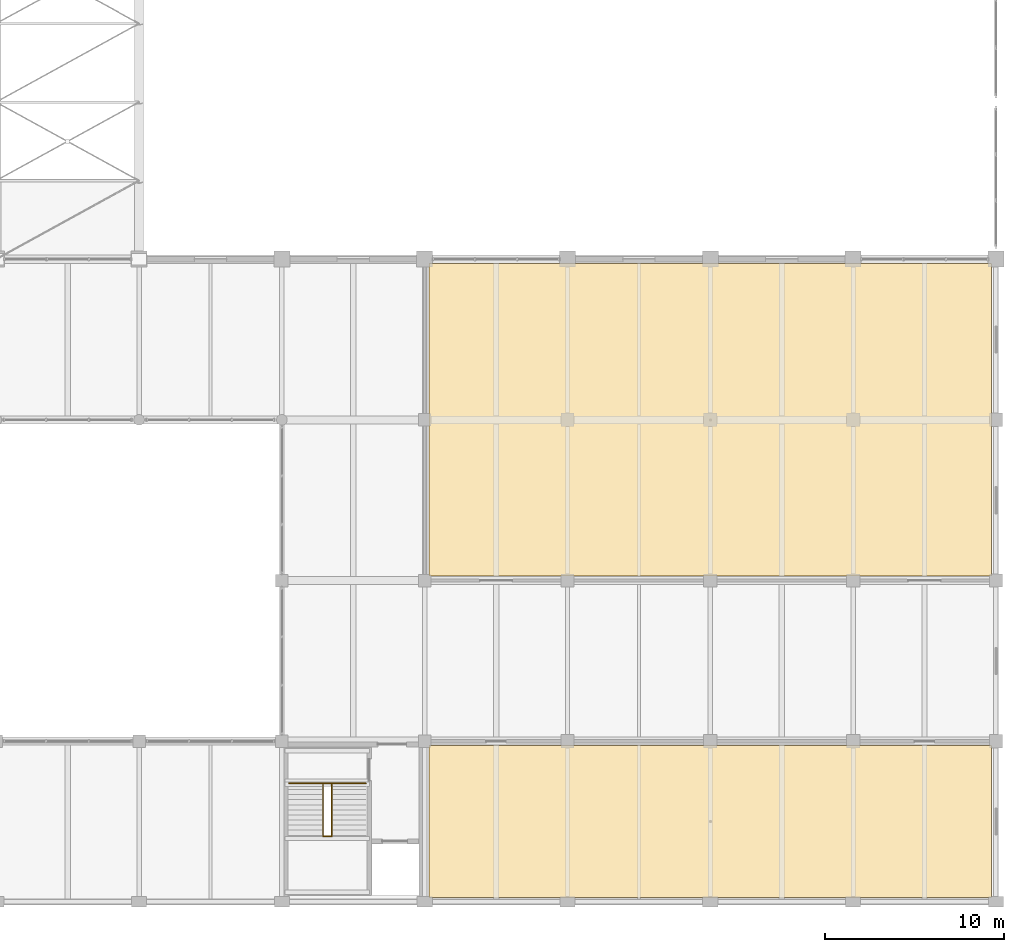
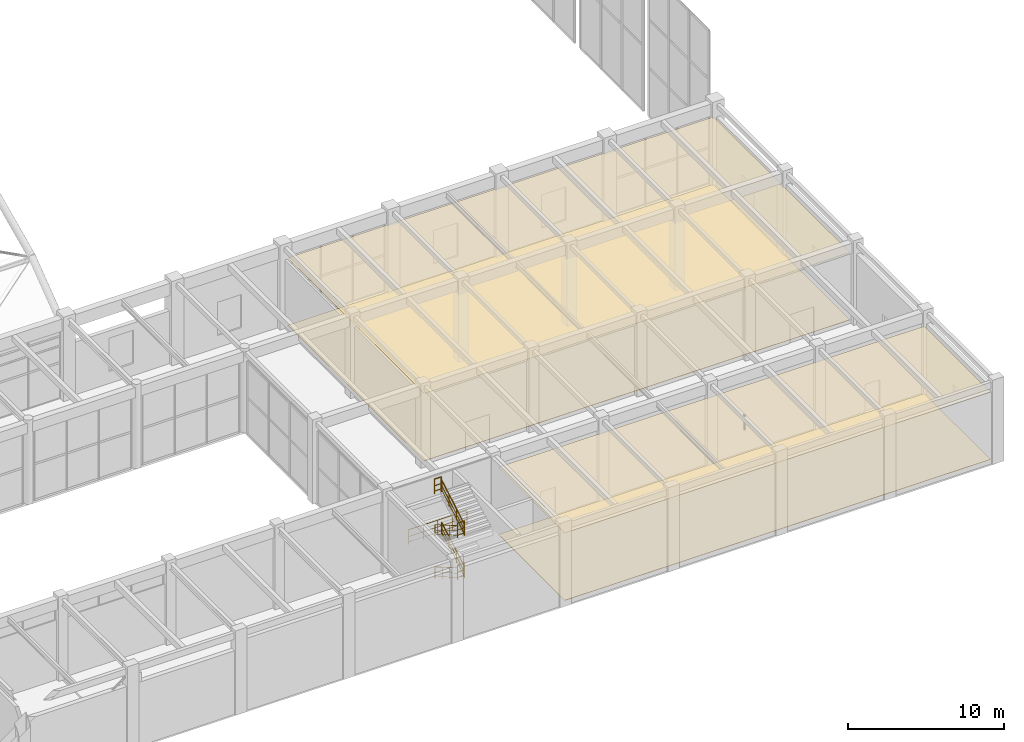
# One storey, part 162 of 163: 8 railings, 4 coverings.
"""IFC4 building model written with IfcOpenShell, lengths in metres."""

from ifc_helpers import new_model, si_unit, direction, frame, origin, origin_2d, place, context, subcontext, project, spatial, polyline, circle, outline, extrude, material, layer, layer_set, type_object, element, save


model = new_model("IFC4")

# Units and contexts
model_context = context("Model", 3, precision=1e-05, world=origin(), true_north=direction((0.0, 1.0)))
body_context = subcontext(model_context, "Body", "Model", "MODEL_VIEW")
ifc_project = project(units=[si_unit("LENGTHUNIT", "METRE"), si_unit("AREAUNIT", "SQUARE_METRE"), si_unit("VOLUMEUNIT", "CUBIC_METRE"), si_unit("PLANEANGLEUNIT", "RADIAN"), si_unit("MASSUNIT", "GRAM", prefix="KILO")], contexts=[model_context])

# Site, building, storey
site_placement = place(None, origin())
site = spatial("IfcSite", under=ifc_project, at=site_placement, CompositionType="ELEMENT")
building_placement = place(site_placement, origin())
building = spatial("IfcBuilding", under=site, at=building_placement, Name="Varnabhumi Central Station", CompositionType="ELEMENT")
storey_placement = place(building_placement, frame((0.0, 0.0, 9.60009765625)))
storey = spatial("IfcBuildingStorey", under=building, at=storey_placement, Name="L02", CompositionType="ELEMENT", Elevation=9.60009765625)

# Coverings
ifc_material_1 = material(Name="Mineral-fibre acoustic tile")
ifc_layer_1 = layer(ifc_material_1, 0.02490234375, Name="Mineral-fibre acoustic tile")
ifc_layer_set_1 = layer_set([ifc_layer_1], Name="Mineral-fibre acoustic tile")
covering_type_1 = type_object("IfcCoveringType", Name="COV-CEIL-ACOUSTIC", PredefinedType="CEILING", material=ifc_layer_set_1)
covering_1_placement = place(storey_placement, frame((0.0, 0.0, 5.27001953125)))
element("IfcCovering", 1, at=covering_1_placement, inside=storey, type_object=covering_type_1, Name="Platform Overlook Refreshment Lounge Acoustic Ceiling", PredefinedType="CEILING", context=body_context, shape_type="SweptSolid", body=[
    extrude(outline(polyline([(152.25, 18.25), (183.75, 18.25), (183.75, 35.75), (152.25, 35.75), (152.25, 18.25)])), origin(), (0.0, 0.0, 1.0), 0.02490234375),
])
covering_2_placement = place(storey_placement, frame((0.0, 0.0, 5.27001953125)))
element("IfcCovering", 2, at=covering_2_placement, inside=storey, type_object=covering_type_1, Name="Concourse Equipment Store Acoustic Ceiling", PredefinedType="CEILING", context=body_context, shape_type="SweptSolid", body=[
    extrude(outline(polyline([(152.25, 0.25), (183.75, 0.25), (183.75, 8.75), (152.25, 8.75), (152.25, 0.25)])), origin(), (0.0, 0.0, 1.0), 0.02490234375),
])
ifc_material_2 = material(Name="Vitrified granite stone flooring", Category="masonry")
ifc_layer_2 = layer(ifc_material_2, 0.030029296875, Name="Vitrified granite stone flooring", Category="masonry")
ifc_layer_set_2 = layer_set([ifc_layer_2], Name="Vitrified granite stone flooring")
covering_type_2 = type_object("IfcCoveringType", Name="COV-FLOR-GRANITE", PredefinedType="FLOORING", material=ifc_layer_set_2)
covering_3_placement = place(storey_placement, origin())
element("IfcCovering", 3, at=covering_3_placement, inside=storey, type_object=covering_type_2, Name="Platform Overlook Refreshment Lounge Granite Flooring", PredefinedType="FLOORING", context=body_context, shape_type="SweptSolid", body=[
    extrude(outline(polyline([(152.25, 18.25), (183.75, 18.25), (183.75, 35.75), (152.25, 35.75), (152.25, 18.25)])), origin(), (0.0, 0.0, 1.0), 0.02978515625),
])
covering_4_placement = place(storey_placement, origin())
element("IfcCovering", 4, at=covering_4_placement, inside=storey, type_object=covering_type_2, Name="Concourse Equipment Store Granite Flooring", PredefinedType="FLOORING", context=body_context, shape_type="SweptSolid", body=[
    extrude(outline(polyline([(152.25, 0.25), (183.75, 0.25), (183.75, 8.75), (152.25, 8.75), (152.25, 0.25)])), origin(), (0.0, 0.0, 1.0), 0.02978515625),
])

# Railings
ifc_material_3 = material(Name="Stainless steel Grade 316", Category="steel")
railing_type_1 = type_object("IfcRailingType", Name="RAIL-STAIR-GRD-1150", PredefinedType="GUARDRAIL", material=ifc_material_3)
railing_1_placement = place(storey_placement, frame((146.300048828125, 3.669921875, 1.64990234375)))
element("IfcRailing", 5, at=railing_1_placement, inside=storey, type_object=railing_type_1, Name="ST-S3 L02 Landing Guard 1", PredefinedType="GUARDRAIL", context=body_context, shape_type="SweptSolid", body=[
    extrude(circle(Radius=0.02392578125, at=origin_2d()), frame((0.0, 0.0, 1.1259765625), z_axis=(1.0, 0.0, 0.0), x_axis=(0.0, 1.0, 0.0)), (0.0, 0.0, 1.0), 0.5),
    extrude(circle(Radius=0.01416015625, at=origin_2d()), frame((0.0, 0.0, 0.597900390625), z_axis=(1.0, 0.0, 0.0), x_axis=(0.0, 1.0, 0.0)), (0.0, 0.0, 1.0), 0.5),
    extrude(circle(Radius=0.01416015625, at=origin_2d()), frame((0.0, 0.0, 0.18408203125), z_axis=(1.0, 0.0, 0.0), x_axis=(0.0, 1.0, 0.0)), (0.0, 0.0, 1.0), 0.5),
    extrude(circle(Radius=0.02099609375, at=origin_2d()), origin(), (0.0, 0.0, 1.0), 1.101806640625),
    extrude(circle(Radius=0.02099609375, at=origin_2d()), frame((0.5, 0.0, 0.0)), (0.0, 0.0, 1.0), 1.101806640625),
])
railing_2_placement = place(storey_placement, frame((144.39990234375, 6.639892578125, 3.2998046875)))
element("IfcRailing", 6, at=railing_2_placement, inside=storey, type_object=railing_type_1, Name="ST-S3 L02 Landing Guard 2", PredefinedType="GUARDRAIL", context=body_context, shape_type="SweptSolid", body=[
    extrude(circle(Radius=0.02392578125, at=origin_2d()), frame((0.0, 0.0, 1.1259765625), z_axis=(1.0, 0.0, 0.0), x_axis=(0.0, 1.0, 0.0)), (0.0, 0.0, 1.0), 4.300048828125),
    extrude(circle(Radius=0.01416015625, at=origin_2d()), frame((0.0, 0.0, 0.597900390625), z_axis=(1.0, 0.0, 0.0), x_axis=(0.0, 1.0, 0.0)), (0.0, 0.0, 1.0), 4.300048828125),
    extrude(circle(Radius=0.01416015625, at=origin_2d()), frame((0.0, 0.0, 0.18408203125), z_axis=(1.0, 0.0, 0.0), x_axis=(0.0, 1.0, 0.0)), (0.0, 0.0, 1.0), 4.300048828125),
    extrude(circle(Radius=0.02099609375, at=origin_2d()), origin(), (0.0, 0.0, 1.0), 1.101806640625),
    extrude(circle(Radius=0.02099609375, at=origin_2d()), frame((1.074951171875, 0.0, 0.0)), (0.0, 0.0, 1.0), 1.101806640625),
    extrude(circle(Radius=0.02099609375, at=origin_2d()), frame((2.14990234375, 0.0, 0.0)), (0.0, 0.0, 1.0), 1.101806640625),
    extrude(circle(Radius=0.02099609375, at=origin_2d()), frame((3.22509765625, 0.0, 0.0)), (0.0, 0.0, 1.0), 1.101806640625),
    extrude(circle(Radius=0.02099609375, at=origin_2d()), frame((4.300048828125, 0.0, 0.0)), (0.0, 0.0, 1.0), 1.101806640625),
])
for number, where, name in (
    (7, (146.300048828125, 3.669921875, 4.949951171875), "ST-S3 L02 Landing Guard 3"),
    (8, (146.300048828125, 6.639892578125, 6.599853515625), "ST-S3 L02 Arrival Slot Guard"),
):
    element("IfcRailing", number, at=place(storey_placement, frame(where)), inside=storey, type_object=railing_type_1, Name=name, PredefinedType="GUARDRAIL", context=body_context, shape_type="SweptSolid", body=[
        extrude(circle(Radius=0.02392578125, at=origin_2d()), frame((0.0, 0.0, 1.1259765625), z_axis=(1.0, 0.0, 0.0), x_axis=(0.0, 1.0, 0.0)), (0.0, 0.0, 1.0), 0.5),
        extrude(circle(Radius=0.01416015625, at=origin_2d()), frame((0.0, 0.0, 0.597900390625), z_axis=(1.0, 0.0, 0.0), x_axis=(0.0, 1.0, 0.0)), (0.0, 0.0, 1.0), 0.5),
        extrude(circle(Radius=0.01416015625, at=origin_2d()), frame((0.0, 0.0, 0.18408203125), z_axis=(1.0, 0.0, 0.0), x_axis=(0.0, 1.0, 0.0)), (0.0, 0.0, 1.0), 0.5),
        extrude(circle(Radius=0.02099609375, at=origin_2d()), origin(), (0.0, 0.0, 1.0), 1.101806640625),
        extrude(circle(Radius=0.02099609375, at=origin_2d()), frame((0.5, 0.0, 0.0)), (0.0, 0.0, 1.0), 1.101806640625),
    ])
railing_type_2 = type_object("IfcRailingType", Name="RAIL-STAIR-HR-920", PredefinedType="HANDRAIL", material=ifc_material_3)
railing_3_placement = place(storey_placement, frame((146.300048828125, 6.580078125, 0.0)))
element("IfcRailing", 9, at=railing_3_placement, inside=storey, type_object=railing_type_2, Name="ST-S3 L02 Handrail 1", PredefinedType="HANDRAIL", context=body_context, shape_type="SweptSolid", body=[
    extrude(circle(Radius=0.02392578125, at=origin_2d()), frame((0.0, 0.0, 0.89599609375), z_axis=(0.0, -0.865446587175, 0.501001202341), x_axis=(1.0, 0.0, 0.0)), (0.0, 0.0, 1.0), 3.293212890625),
    extrude(circle(Radius=0.01416015625, at=origin_2d()), frame((0.0, 0.0, 0.478271484375), z_axis=(0.0, -0.865446587175, 0.501001202341), x_axis=(1.0, 0.0, 0.0)), (0.0, 0.0, 1.0), 3.293212890625),
    extrude(circle(Radius=0.01416015625, at=origin_2d()), frame((0.0, 0.0, 0.147216796875), z_axis=(0.0, -0.865446587175, 0.501001202341), x_axis=(1.0, 0.0, 0.0)), (0.0, 0.0, 1.0), 3.293212890625),
    extrude(circle(Radius=0.02099609375, at=origin_2d()), origin(), (0.0, 0.0, 1.0), 0.871826171875),
    extrude(circle(Radius=0.02099609375, at=origin_2d()), frame((0.0, -0.949951171875, 0.550048828125)), (0.0, 0.0, 1.0), 0.871826171875),
    extrude(circle(Radius=0.02099609375, at=origin_2d()), frame((0.0, -1.900146484375, 1.099853515625)), (0.0, 0.0, 1.0), 0.871826171875),
    extrude(circle(Radius=0.02099609375, at=origin_2d()), frame((0.0, -2.85009765625, 1.64990234375)), (0.0, 0.0, 1.0), 0.871826171875),
])
railing_4_placement = place(storey_placement, frame((146.800048828125, 3.72998046875, 1.64990234375)))
element("IfcRailing", 10, at=railing_4_placement, inside=storey, type_object=railing_type_2, Name="ST-S3 L02 Handrail 2", PredefinedType="HANDRAIL", context=body_context, shape_type="SweptSolid", body=[
    extrude(circle(Radius=0.02392578125, at=origin_2d()), frame((0.0, 0.0, 0.89599609375), z_axis=(0.0, 0.865446587175, 0.501001202341), x_axis=(-1.0, 0.0, 0.0)), (0.0, 0.0, 1.0), 3.293212890625),
    extrude(circle(Radius=0.01416015625, at=origin_2d()), frame((0.0, 0.0, 0.478271484375), z_axis=(0.0, 0.865446587175, 0.501001202341), x_axis=(-1.0, 0.0, 0.0)), (0.0, 0.0, 1.0), 3.293212890625),
    extrude(circle(Radius=0.01416015625, at=origin_2d()), frame((0.0, 0.0, 0.147216796875), z_axis=(0.0, 0.865446587175, 0.501001202341), x_axis=(-1.0, 0.0, 0.0)), (0.0, 0.0, 1.0), 3.293212890625),
    extrude(circle(Radius=0.02099609375, at=origin_2d()), origin(), (0.0, 0.0, 1.0), 0.871826171875),
    extrude(circle(Radius=0.02099609375, at=origin_2d()), frame((0.0, 0.949951171875, 0.550048828125)), (0.0, 0.0, 1.0), 0.871826171875),
    extrude(circle(Radius=0.02099609375, at=origin_2d()), frame((0.0, 1.900146484375, 1.099853515625)), (0.0, 0.0, 1.0), 0.871826171875),
    extrude(circle(Radius=0.02099609375, at=origin_2d()), frame((0.0, 2.85009765625, 1.64990234375)), (0.0, 0.0, 1.0), 0.871826171875),
])
railing_5_placement = place(storey_placement, frame((146.300048828125, 6.580078125, 3.2998046875)))
element("IfcRailing", 11, at=railing_5_placement, inside=storey, type_object=railing_type_2, Name="ST-S3 L02 Handrail 3", PredefinedType="HANDRAIL", context=body_context, shape_type="SweptSolid", body=[
    extrude(circle(Radius=0.02392578125, at=origin_2d()), frame((0.0, 0.0, 0.89599609375), z_axis=(0.0, -0.86541444261, 0.501056725852), x_axis=(1.0, 0.0, 0.0)), (0.0, 0.0, 1.0), 3.293212890625),
    extrude(circle(Radius=0.01416015625, at=origin_2d()), frame((0.0, 0.0, 0.478271484375), z_axis=(0.0, -0.86541444261, 0.501056725852), x_axis=(1.0, 0.0, 0.0)), (0.0, 0.0, 1.0), 3.293212890625),
    extrude(circle(Radius=0.01416015625, at=origin_2d()), frame((0.0, 0.0, 0.147216796875), z_axis=(0.0, -0.86541444261, 0.501056725852), x_axis=(1.0, 0.0, 0.0)), (0.0, 0.0, 1.0), 3.293212890625),
    extrude(circle(Radius=0.02099609375, at=origin_2d()), origin(), (0.0, 0.0, 1.0), 0.871826171875),
    extrude(circle(Radius=0.02099609375, at=origin_2d()), frame((0.0, -0.949951171875, 0.550048828125)), (0.0, 0.0, 1.0), 0.871826171875),
    extrude(circle(Radius=0.02099609375, at=origin_2d()), frame((0.0, -1.900146484375, 1.10009765625)), (0.0, 0.0, 1.0), 0.871826171875),
    extrude(circle(Radius=0.02099609375, at=origin_2d()), frame((0.0, -2.85009765625, 1.650146484375)), (0.0, 0.0, 1.0), 0.871826171875),
])
railing_6_placement = place(storey_placement, frame((146.800048828125, 3.72998046875, 4.949951171875)))
element("IfcRailing", 12, at=railing_6_placement, inside=storey, type_object=railing_type_2, Name="ST-S3 L02 Handrail 4", PredefinedType="HANDRAIL", context=body_context, shape_type="SweptSolid", body=[
    extrude(circle(Radius=0.02392578125, at=origin_2d()), frame((0.0, 0.0, 0.89599609375), z_axis=(0.0, 0.865446587175, 0.501001202341), x_axis=(-1.0, 0.0, 0.0)), (0.0, 0.0, 1.0), 3.293212890625),
    extrude(circle(Radius=0.01416015625, at=origin_2d()), frame((0.0, 0.0, 0.478271484375), z_axis=(0.0, 0.865446587175, 0.501001202341), x_axis=(-1.0, 0.0, 0.0)), (0.0, 0.0, 1.0), 3.293212890625),
    extrude(circle(Radius=0.01416015625, at=origin_2d()), frame((0.0, 0.0, 0.147216796875), z_axis=(0.0, 0.865446587175, 0.501001202341), x_axis=(-1.0, 0.0, 0.0)), (0.0, 0.0, 1.0), 3.293212890625),
    extrude(circle(Radius=0.02099609375, at=origin_2d()), origin(), (0.0, 0.0, 1.0), 0.871826171875),
    extrude(circle(Radius=0.02099609375, at=origin_2d()), frame((0.0, 0.949951171875, 0.550048828125)), (0.0, 0.0, 1.0), 0.871826171875),
    extrude(circle(Radius=0.02099609375, at=origin_2d()), frame((0.0, 1.900146484375, 1.099853515625)), (0.0, 0.0, 1.0), 0.871826171875),
    extrude(circle(Radius=0.02099609375, at=origin_2d()), frame((0.0, 2.85009765625, 1.64990234375)), (0.0, 0.0, 1.0), 0.871826171875),
])

save(model, "model.ifc")
